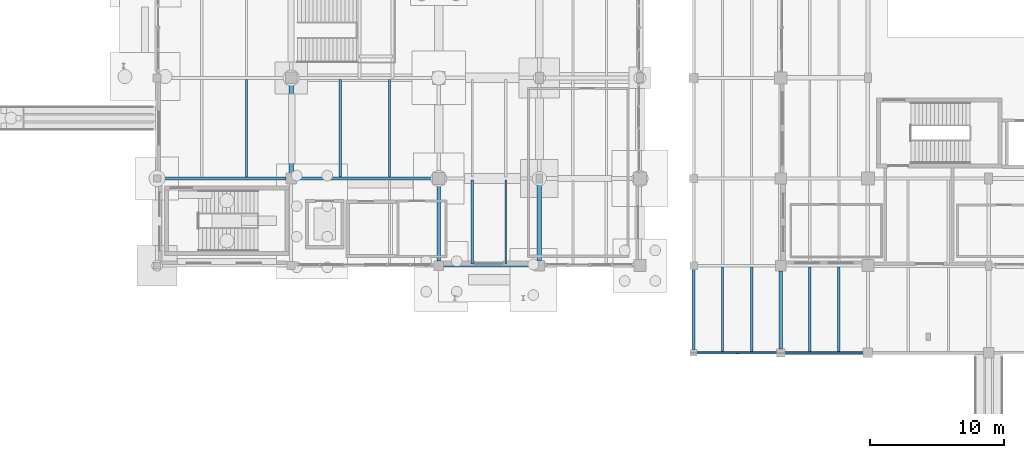
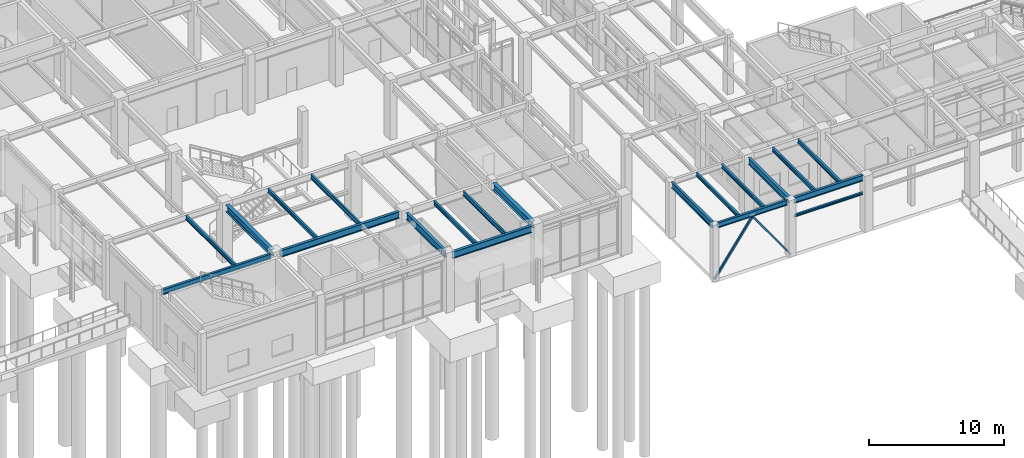
# One storey, part 30 of 203: 20 beams, 2 members.
"""IFC4 building model written with IfcOpenShell, lengths in metres."""

from ifc_helpers import new_model, si_unit, direction, frame, origin, origin_2d, place, context, subcontext, project, spatial, hollow_rectangle, i_section, extrude, material, material_profile, profile_set, type_object, element, save


model = new_model("IFC4")

# Units and contexts
model_context = context("Model", 3, precision=1e-05, world=origin(), true_north=direction((0.0, 1.0)))
body_context = subcontext(model_context, "Body", "Model", "MODEL_VIEW")
ifc_project = project(units=[si_unit("LENGTHUNIT", "METRE"), si_unit("AREAUNIT", "SQUARE_METRE"), si_unit("VOLUMEUNIT", "CUBIC_METRE"), si_unit("PLANEANGLEUNIT", "RADIAN"), si_unit("MASSUNIT", "GRAM", prefix="KILO"), si_unit("THERMODYNAMICTEMPERATUREUNIT", "KELVIN"), si_unit("POWERUNIT", "WATT")], contexts=[model_context])

# Site, building, storey
site_placement = place(None, origin())
site = spatial("IfcSite", under=ifc_project, at=site_placement, CompositionType="ELEMENT")
building_placement = place(site_placement, origin())
building = spatial("IfcBuilding", under=site, at=building_placement, Name="Tepalcoro Natatorium and Aquatics Centre", CompositionType="ELEMENT")
storey_placement = place(building_placement, origin())
storey = spatial("IfcBuildingStorey", under=building, at=storey_placement, Name="L00", CompositionType="ELEMENT", Elevation=0.0)

# Beams
ifc_material_1 = material(Name="Steel ASTM A992 Grade 50 (Fy 345 MPa)", Category="steel")
ifc_material_profile_1 = material_profile(ifc_material_1, i_section(OverallWidth=0.193115234375, OverallDepth=0.467041015625, WebThickness=0.010986328125, FlangeThickness=0.01904296875, FilletRadius=0.013916015625, at=origin_2d()), Name="W18X65")
ifc_profile_set_1 = profile_set([ifc_material_profile_1], Name="Steel ASTM A992 Grade 50 (Fy 345 MPa)")
beam_type_1 = type_object("IfcBeamType", Name="BM_W18x65", PredefinedType="BEAM", material=ifc_profile_set_1)
beam_1_placement = place(storey_placement, frame((0.260009765625, 13.0, 4.91162109375), z_axis=(1.0, 0.0, 0.0), x_axis=(0.0, 1.0, 0.0)))
element("IfcBeam", 1, at=beam_1_placement, inside=storey, type_object=beam_type_1, Name="V3 L00 Grid Girder X", PredefinedType="BEAM", context=body_context, shape_type="SweptSolid", body=[
    extrude(i_section(OverallWidth=0.193115234375, OverallDepth=0.467041015625, WebThickness=0.010986328125, FlangeThickness=0.01904296875, FilletRadius=0.013916015625, at=origin_2d()), origin(), (0.0, 0.0, 1.0), 9.35498046875),
])
ifc_material_profile_2 = material_profile(ifc_material_1, i_section(OverallWidth=0.324951171875, OverallDepth=0.616943359375, WebThickness=0.013916015625, FlangeThickness=0.02197265625, FilletRadius=0.013916015625, at=origin_2d()), Name="W24X117")
ifc_profile_set_2 = profile_set([ifc_material_profile_2], Name="Steel ASTM A992 Grade 50 (Fy 345 MPa)")
beam_type_2 = type_object("IfcBeamType", Name="BM_W24x117", PredefinedType="BEAM", material=ifc_profile_set_2)
beam_2_placement = place(storey_placement, frame((10.0, 13.385009765625, 4.83642578125), z_axis=(0.0, 1.0, 0.0), x_axis=(-1.0, 0.0, 0.0)))
element("IfcBeam", 2, at=beam_2_placement, inside=storey, type_object=beam_type_2, Name="V3 L00 Grid Girder Y", PredefinedType="BEAM", context=body_context, shape_type="SweptSolid", body=[
    extrude(i_section(OverallWidth=0.324951171875, OverallDepth=0.616943359375, WebThickness=0.013916015625, FlangeThickness=0.02197265625, FilletRadius=0.013916015625, at=origin_2d()), origin(), (0.0, 0.0, 1.0), 6.705078125),
])
beam_3_placement = place(storey_placement, frame((28.5, 6.885009765625, 4.83642578125), z_axis=(0.0, 1.0, 0.0), x_axis=(-1.0, 0.0, 0.0)))
element("IfcBeam", 3, at=beam_3_placement, inside=storey, type_object=beam_type_2, Name="V3 L00 Grid Girder Y", PredefinedType="BEAM", context=body_context, shape_type="SweptSolid", body=[
    extrude(i_section(OverallWidth=0.324951171875, OverallDepth=0.616943359375, WebThickness=0.013916015625, FlangeThickness=0.02197265625, FilletRadius=0.013916015625, at=origin_2d()), origin(), (0.0, 0.0, 1.0), 5.780029296875),
])
ifc_material_profile_3 = material_profile(ifc_material_1, i_section(OverallWidth=0.22802734375, OverallDepth=0.60693359375, WebThickness=0.010986328125, FlangeThickness=0.01708984375, FilletRadius=0.013916015625, at=origin_2d()), Name="W24X76")
ifc_profile_set_3 = profile_set([ifc_material_profile_3], Name="Steel ASTM A992 Grade 50 (Fy 345 MPa)")
beam_type_3 = type_object("IfcBeamType", Name="BM_W24x76", PredefinedType="BEAM", material=ifc_profile_set_3)
beam_4_placement = place(storey_placement, frame((46.5, 0.284912109375, 4.781494140625), z_axis=(0.0, 1.0, 0.0), x_axis=(-1.0, 0.0, 0.0)))
element("IfcBeam", 4, at=beam_4_placement, inside=storey, type_object=beam_type_3, Name="V1 L00 Grid Girder Y", PredefinedType="BEAM", context=body_context, shape_type="SweptSolid", body=[
    extrude(i_section(OverallWidth=0.22802734375, OverallDepth=0.60693359375, WebThickness=0.010986328125, FlangeThickness=0.01708984375, FilletRadius=0.013916015625, at=origin_2d()), origin(), (0.0, 0.0, 1.0), 5.830078125),
])
beam_5_placement = place(storey_placement, frame((10.385009765625, 13.0, 4.841552734375), z_axis=(1.0, 0.0, 0.0), x_axis=(0.0, 1.0, 0.0)))
element("IfcBeam", 5, at=beam_5_placement, inside=storey, type_object=beam_type_3, Name="V3 L00 Grid Girder X", PredefinedType="BEAM", context=body_context, shape_type="SweptSolid", body=[
    extrude(i_section(OverallWidth=0.22802734375, OverallDepth=0.60693359375, WebThickness=0.010986328125, FlangeThickness=0.01708984375, FilletRadius=0.013916015625, at=origin_2d()), origin(), (0.0, 0.0, 1.0), 10.179931640625),
])
ifc_material_profile_4 = material_profile(ifc_material_1, i_section(OverallWidth=0.22998046875, OverallDepth=0.616943359375, WebThickness=0.012939453125, FlangeThickness=0.02197265625, FilletRadius=0.013916015625, at=origin_2d()), Name="W24X94")
ifc_profile_set_4 = profile_set([ifc_material_profile_4], Name="Steel ASTM A992 Grade 50 (Fy 345 MPa)")
beam_type_4 = type_object("IfcBeamType", Name="BM_W24x94", PredefinedType="BEAM", material=ifc_profile_set_4)
beam_6_placement = place(storey_placement, frame((21.0, 6.8349609375, 4.83642578125), z_axis=(0.0, 1.0, 0.0), x_axis=(-1.0, 0.0, 0.0)))
element("IfcBeam", 6, at=beam_6_placement, inside=storey, type_object=beam_type_4, Name="V3 L00 Grid Girder Y", PredefinedType="BEAM", context=body_context, shape_type="SweptSolid", body=[
    extrude(i_section(OverallWidth=0.22998046875, OverallDepth=0.616943359375, WebThickness=0.012939453125, FlangeThickness=0.02197265625, FilletRadius=0.013916015625, at=origin_2d()), origin(), (0.0, 0.0, 1.0), 5.72998046875),
])
ifc_material_profile_5 = material_profile(ifc_material_1, i_section(OverallWidth=0.1669921875, OverallDepth=0.318115234375, WebThickness=0.008056640625, FlangeThickness=0.012939453125, FilletRadius=0.013916015625, at=origin_2d()), Name="W12X35")
ifc_profile_set_5 = profile_set([ifc_material_profile_5], Name="Steel ASTM A992 Grade 50 (Fy 345 MPa)")
beam_type_5 = type_object("IfcBeamType", Name="JS_W12x35", PredefinedType="JOIST", material=ifc_profile_set_5)
beam_7_placement = place(storey_placement, frame((42.166748046875, 0.095458984375, 4.926025390625), z_axis=(0.0, 1.0, 0.0), x_axis=(-1.0, 0.0, 0.0)))
element("IfcBeam", 7, at=beam_7_placement, inside=storey, type_object=beam_type_5, Name="V1 L00 Floor Joist", PredefinedType="JOIST", context=body_context, shape_type="SweptSolid", body=[
    extrude(i_section(OverallWidth=0.1669921875, OverallDepth=0.318115234375, WebThickness=0.008056640625, FlangeThickness=0.012939453125, FilletRadius=0.013916015625, at=origin_2d()), origin(), (0.0, 0.0, 1.0), 6.30810546875),
])
ifc_material_profile_6 = material_profile(ifc_material_1, i_section(OverallWidth=0.1708984375, OverallDepth=0.35107421875, WebThickness=0.007080078125, FlangeThickness=0.010009765625, FilletRadius=0.013916015625, at=origin_2d()), Name="W14X30")
ifc_profile_set_6 = profile_set([ifc_material_profile_6], Name="Steel ASTM A992 Grade 50 (Fy 345 MPa)")
beam_type_6 = type_object("IfcBeamType", Name="JS_W14x30", PredefinedType="JOIST", material=ifc_profile_set_6)
beam_8_placement = place(storey_placement, frame((44.333251953125, 0.095458984375, 4.909423828125), z_axis=(0.0, 1.0, 0.0), x_axis=(-1.0, 0.0, 0.0)))
element("IfcBeam", 8, at=beam_8_placement, inside=storey, type_object=beam_type_6, Name="V1 L00 Floor Joist", PredefinedType="JOIST", context=body_context, shape_type="SweptSolid", body=[
    extrude(i_section(OverallWidth=0.1708984375, OverallDepth=0.35107421875, WebThickness=0.007080078125, FlangeThickness=0.010009765625, FilletRadius=0.013916015625, at=origin_2d()), origin(), (0.0, 0.0, 1.0), 6.30810546875),
])
beam_9_placement = place(storey_placement, frame((48.666748046875, 0.10498046875, 4.909423828125), z_axis=(0.0, 1.0, 0.0), x_axis=(-1.0, 0.0, 0.0)))
element("IfcBeam", 9, at=beam_9_placement, inside=storey, type_object=beam_type_6, Name="V1 L00 Floor Joist", PredefinedType="JOIST", context=body_context, shape_type="SweptSolid", body=[
    extrude(i_section(OverallWidth=0.1708984375, OverallDepth=0.35107421875, WebThickness=0.007080078125, FlangeThickness=0.010009765625, FilletRadius=0.013916015625, at=origin_2d()), origin(), (0.0, 0.0, 1.0), 6.281005859375),
])
ifc_material_profile_7 = material_profile(ifc_material_1, i_section(OverallWidth=0.172119140625, OverallDepth=0.35791015625, WebThickness=0.008056640625, FlangeThickness=0.012939453125, FilletRadius=0.013916015625, at=origin_2d()), Name="W14X38")
ifc_profile_set_7 = profile_set([ifc_material_profile_7], Name="Steel ASTM A992 Grade 50 (Fy 345 MPa)")
beam_type_7 = type_object("IfcBeamType", Name="JS_W14x38", PredefinedType="JOIST", material=ifc_profile_set_7)
beam_10_placement = place(storey_placement, frame((50.833251953125, 0.10498046875, 4.906005859375), z_axis=(0.0, 1.0, 0.0), x_axis=(-1.0, 0.0, 0.0)))
element("IfcBeam", 10, at=beam_10_placement, inside=storey, type_object=beam_type_7, Name="V1 L00 Floor Joist", PredefinedType="JOIST", context=body_context, shape_type="SweptSolid", body=[
    extrude(i_section(OverallWidth=0.172119140625, OverallDepth=0.35791015625, WebThickness=0.008056640625, FlangeThickness=0.012939453125, FilletRadius=0.013916015625, at=origin_2d()), origin(), (0.0, 0.0, 1.0), 6.281005859375),
])
beam_11_placement = place(storey_placement, frame((6.666748046875, 13.096435546875, 4.966064453125), z_axis=(0.0, 1.0, 0.0), x_axis=(-1.0, 0.0, 0.0)))
element("IfcBeam", 11, at=beam_11_placement, inside=storey, type_object=beam_type_7, Name="V3 L00 Floor Joist", PredefinedType="JOIST", context=body_context, shape_type="SweptSolid", body=[
    extrude(i_section(OverallWidth=0.172119140625, OverallDepth=0.35791015625, WebThickness=0.008056640625, FlangeThickness=0.012939453125, FilletRadius=0.013916015625, at=origin_2d()), origin(), (0.0, 0.0, 1.0), 7.298583984375),
])
beam_12_placement = place(storey_placement, frame((13.666748046875, 13.114013671875, 4.966064453125), z_axis=(0.0, 1.0, 0.0), x_axis=(-1.0, 0.0, 0.0)))
element("IfcBeam", 12, at=beam_12_placement, inside=storey, type_object=beam_type_7, Name="V3 L00 Floor Joist", PredefinedType="JOIST", context=body_context, shape_type="SweptSolid", body=[
    extrude(i_section(OverallWidth=0.172119140625, OverallDepth=0.35791015625, WebThickness=0.008056640625, FlangeThickness=0.012939453125, FilletRadius=0.013916015625, at=origin_2d()), origin(), (0.0, 0.0, 1.0), 7.27099609375),
])
beam_13_placement = place(storey_placement, frame((23.5, 6.614501953125, 4.966064453125), z_axis=(0.0, 1.0, 0.0), x_axis=(-1.0, 0.0, 0.0)))
element("IfcBeam", 13, at=beam_13_placement, inside=storey, type_object=beam_type_7, Name="V3 L00 Floor Joist", PredefinedType="JOIST", context=body_context, shape_type="SweptSolid", body=[
    extrude(i_section(OverallWidth=0.172119140625, OverallDepth=0.35791015625, WebThickness=0.008056640625, FlangeThickness=0.012939453125, FilletRadius=0.013916015625, at=origin_2d()), origin(), (0.0, 0.0, 1.0), 6.258544921875),
])
ifc_material_profile_8 = material_profile(ifc_material_1, i_section(OverallWidth=0.139892578125, OverallDepth=0.404052734375, WebThickness=0.007080078125, FlangeThickness=0.010986328125, FilletRadius=0.013916015625, at=origin_2d()), Name="W16X31")
ifc_profile_set_8 = profile_set([ifc_material_profile_8], Name="Steel ASTM A992 Grade 50 (Fy 345 MPa)")
beam_type_8 = type_object("IfcBeamType", Name="JS_W16x31", PredefinedType="JOIST", material=ifc_profile_set_8)
beam_14_placement = place(storey_placement, frame((17.333251953125, 13.114013671875, 4.943115234375), z_axis=(0.0, 1.0, 0.0), x_axis=(-1.0, 0.0, 0.0)))
element("IfcBeam", 14, at=beam_14_placement, inside=storey, type_object=beam_type_8, Name="V3 L00 Floor Joist", PredefinedType="JOIST", context=body_context, shape_type="SweptSolid", body=[
    extrude(i_section(OverallWidth=0.139892578125, OverallDepth=0.404052734375, WebThickness=0.007080078125, FlangeThickness=0.010986328125, FilletRadius=0.013916015625, at=origin_2d()), origin(), (0.0, 0.0, 1.0), 7.27099609375),
])
beam_15_placement = place(storey_placement, frame((26.0, 6.614501953125, 4.943115234375), z_axis=(0.0, 1.0, 0.0), x_axis=(-1.0, 0.0, 0.0)))
element("IfcBeam", 15, at=beam_15_placement, inside=storey, type_object=beam_type_8, Name="V3 L00 Floor Joist", PredefinedType="JOIST", context=body_context, shape_type="SweptSolid", body=[
    extrude(i_section(OverallWidth=0.139892578125, OverallDepth=0.404052734375, WebThickness=0.007080078125, FlangeThickness=0.010986328125, FilletRadius=0.013916015625, at=origin_2d()), origin(), (0.0, 0.0, 1.0), 6.258544921875),
])
ifc_material_profile_9 = material_profile(ifc_material_1, i_section(OverallWidth=0.1650390625, OverallDepth=0.200927734375, WebThickness=0.006103515625, FlangeThickness=0.010009765625, FilletRadius=0.013916015625, at=origin_2d()), Name="W8X24")
ifc_profile_set_9 = profile_set([ifc_material_profile_9], Name="Steel ASTM A992 Grade 50 (Fy 345 MPa)")
beam_type_9 = type_object("IfcBeamType", Name="LN_HSS200x120x10", PredefinedType="LINTEL", material=ifc_profile_set_9)
beam_16_placement = place(storey_placement, frame((46.784912109375, 0.0, 3.39990234375), z_axis=(1.0, 0.0, 0.0), x_axis=(0.0, 1.0, 0.0)))
element("IfcBeam", 16, at=beam_16_placement, inside=storey, type_object=beam_type_9, Name="Colonnade Portico Architrave Lintel", PredefinedType="LINTEL", context=body_context, shape_type="SweptSolid", body=[
    extrude(i_section(OverallWidth=0.1650390625, OverallDepth=0.200927734375, WebThickness=0.006103515625, FlangeThickness=0.010009765625, FilletRadius=0.013916015625, at=origin_2d()), origin(), (0.0, 0.0, 1.0), 5.880126953125),
])

# Members
ifc_material_2 = material(Name="Hollow Steel ASTM A500 Grade C (Fy 345 MPa)", Category="steel")
ifc_material_profile_10 = material_profile(ifc_material_2, hollow_rectangle(XDim=0.14990234375, YDim=0.14990234375, WallThickness=0.010009765625, at=origin_2d()), Name="HSS150X150X10")
ifc_profile_set_10 = profile_set([ifc_material_profile_10], Name="Hollow Steel ASTM A500 Grade C (Fy 345 MPa)")
member_type = type_object("IfcMemberType", Name="MB_BR_HSS150x150x10", PredefinedType="BRACE", material=ifc_profile_set_10)
for number, where, z_axis, x_axis, name in (
    (17, (40.0, 0.0, 0.050048828125), (0.580388287942, 0.0, 0.814339876967), (0.0, 1.0, 0.0), "V1 L00 Chevron Lateral Brace"),
    (18, (46.5, 0.0, 0.050048828125), (-0.580388287942, 0.0, 0.814339876967), (0.0, -1.0, 0.0), "V1 L00 Chevron Lateral Brace"),
):
    element("IfcMember", number, at=place(storey_placement, frame(where, z_axis=z_axis, x_axis=x_axis)), inside=storey, type_object=member_type, Name=name, PredefinedType="BRACE", context=body_context, shape_type="SweptSolid", body=[
        extrude(hollow_rectangle(XDim=0.14990234375, YDim=0.14990234375, WallThickness=0.010009765625, at=origin_2d()), origin(), (0.0, 0.0, 1.0), 5.599609375),
    ])

# Beams
ifc_material_profile_11 = material_profile(ifc_material_1, i_section(OverallWidth=0.19091796875, OverallDepth=0.4599609375, WebThickness=0.010009765625, FlangeThickness=0.01611328125, FilletRadius=0.013916015625, at=origin_2d()), Name="W18X55")
ifc_profile_set_11 = profile_set([ifc_material_profile_11], Name="Steel ASTM A992 Grade 50 (Fy 345 MPa)")
beam_type_10 = type_object("IfcBeamType", Name="SP_W18x55", PredefinedType="SPANDREL", material=ifc_profile_set_11)
beam_17_placement = place(storey_placement, frame((40.235107421875, 0.0, 4.85498046875), z_axis=(1.0, 0.0, 0.0), x_axis=(0.0, 1.0, 0.0)))
element("IfcBeam", 19, at=beam_17_placement, inside=storey, type_object=beam_type_10, Name="V1 L00 Grid Girder X", PredefinedType="SPANDREL", context=body_context, shape_type="SweptSolid", body=[
    extrude(i_section(OverallWidth=0.19091796875, OverallDepth=0.4599609375, WebThickness=0.010009765625, FlangeThickness=0.01611328125, FilletRadius=0.013916015625, at=origin_2d()), origin(), (0.0, 0.0, 1.0), 5.97998046875),
])
ifc_material_profile_12 = material_profile(ifc_material_1, i_section(OverallWidth=0.2099609375, OverallDepth=0.535888671875, WebThickness=0.010986328125, FlangeThickness=0.01708984375, FilletRadius=0.013916015625, at=origin_2d()), Name="W21X68")
ifc_profile_set_12 = profile_set([ifc_material_profile_12], Name="Steel ASTM A992 Grade 50 (Fy 345 MPa)")
beam_type_11 = type_object("IfcBeamType", Name="SP_W21x68", PredefinedType="SPANDREL", material=ifc_profile_set_12)
beam_18_placement = place(storey_placement, frame((46.784912109375, 0.0, 4.81689453125), z_axis=(1.0, 0.0, 0.0), x_axis=(0.0, 1.0, 0.0)))
element("IfcBeam", 20, at=beam_18_placement, inside=storey, type_object=beam_type_11, Name="V1 L00 Grid Girder X", PredefinedType="SPANDREL", context=body_context, shape_type="SweptSolid", body=[
    extrude(i_section(OverallWidth=0.2099609375, OverallDepth=0.535888671875, WebThickness=0.010986328125, FlangeThickness=0.01708984375, FilletRadius=0.013916015625, at=origin_2d()), origin(), (0.0, 0.0, 1.0), 5.880126953125),
])
beam_19_placement = place(storey_placement, frame((40.0, 0.235107421875, 4.81689453125), z_axis=(0.0, 1.0, 0.0), x_axis=(-1.0, 0.0, 0.0)))
element("IfcBeam", 21, at=beam_19_placement, inside=storey, type_object=beam_type_11, Name="V1 L00 Grid Girder Y", PredefinedType="SPANDREL", context=body_context, shape_type="SweptSolid", body=[
    extrude(i_section(OverallWidth=0.2099609375, OverallDepth=0.535888671875, WebThickness=0.010986328125, FlangeThickness=0.01708984375, FilletRadius=0.013916015625, at=origin_2d()), origin(), (0.0, 0.0, 1.0), 6.0048828125),
])
ifc_material_profile_13 = material_profile(ifc_material_1, i_section(OverallWidth=0.22900390625, OverallDepth=0.612060546875, WebThickness=0.011962890625, FlangeThickness=0.02001953125, FilletRadius=0.013916015625, at=origin_2d()), Name="W24X84")
ifc_profile_set_13 = profile_set([ifc_material_profile_13], Name="Steel ASTM A992 Grade 50 (Fy 345 MPa)")
beam_type_12 = type_object("IfcBeamType", Name="SP_W24x84", PredefinedType="SPANDREL", material=ifc_profile_set_13)
beam_20_placement = place(storey_placement, frame((21.3349609375, 6.5, 4.839111328125), z_axis=(1.0, 0.0, 0.0), x_axis=(0.0, 1.0, 0.0)))
element("IfcBeam", 22, at=beam_20_placement, inside=storey, type_object=beam_type_12, Name="V3 L00 Grid Girder X", PredefinedType="SPANDREL", context=body_context, shape_type="SweptSolid", body=[
    extrude(i_section(OverallWidth=0.22900390625, OverallDepth=0.612060546875, WebThickness=0.011962890625, FlangeThickness=0.02001953125, FilletRadius=0.013916015625, at=origin_2d()), origin(), (0.0, 0.0, 1.0), 6.780029296875),
])

save(model, "model.ifc")
